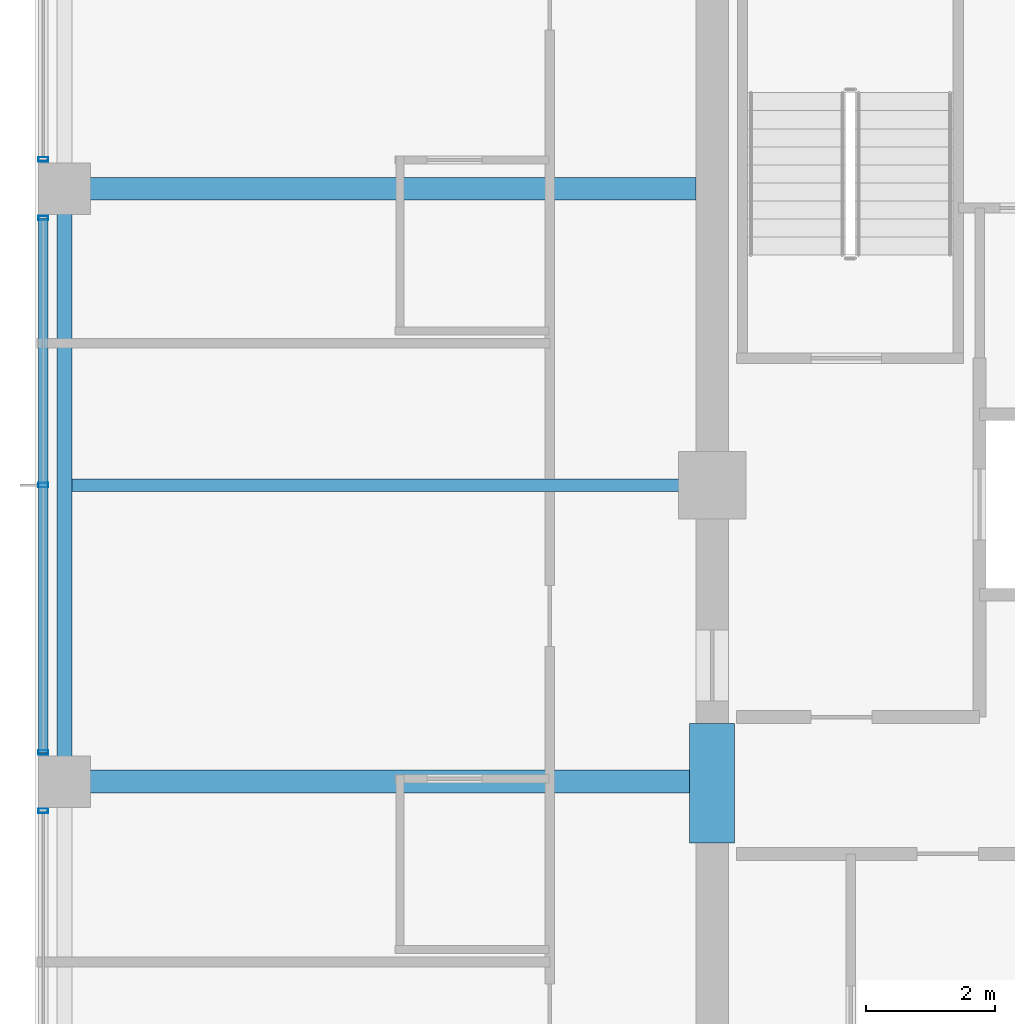
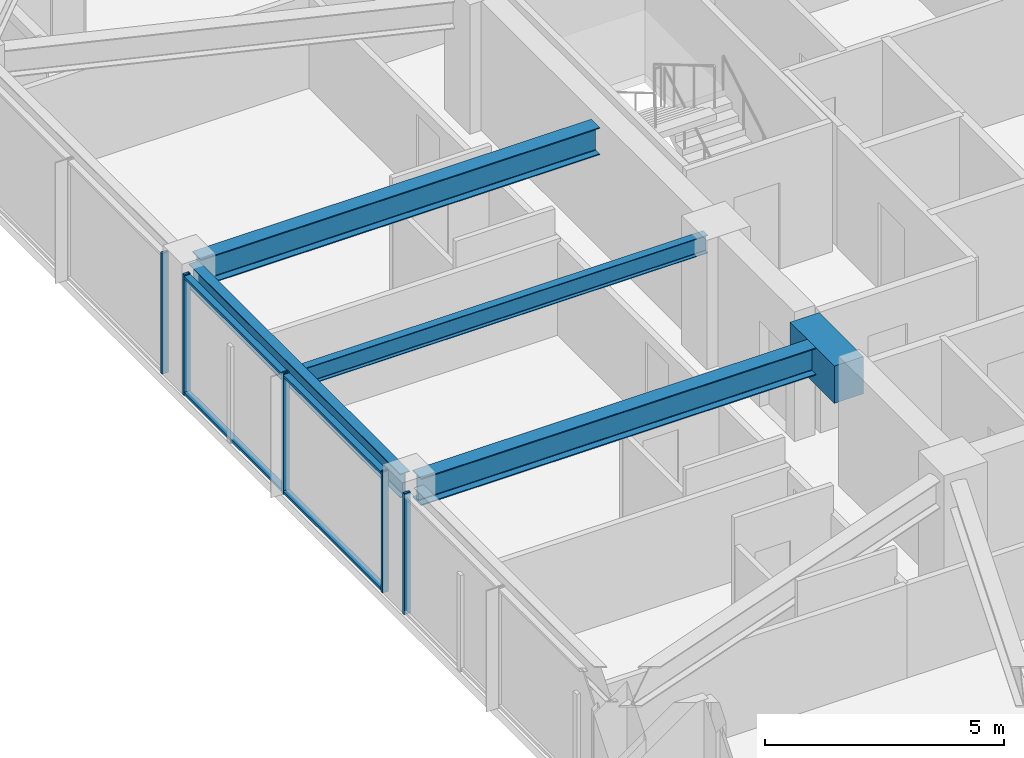
# One storey, part 9 of 36: 7 members, 5 beams, 3 elements without a shape of their own.
"""IFC4 building model written with IfcOpenShell, lengths in metres."""

from ifc_helpers import new_model, si_unit, direction, frame, origin, origin_2d, place, context, subcontext, project, spatial, rectangle, hollow_rectangle, i_section, extrude, material, material_profile, profile_set, type_object, element, aggregate, save


model = new_model("IFC4")

# Units and contexts
model_context = context("Model", 3, precision=1e-05, world=origin(), true_north=direction((0.0, 1.0)))
body_context = subcontext(model_context, "Body", "Model", "MODEL_VIEW")
ifc_project = project(units=[si_unit("LENGTHUNIT", "METRE"), si_unit("AREAUNIT", "SQUARE_METRE"), si_unit("VOLUMEUNIT", "CUBIC_METRE"), si_unit("PLANEANGLEUNIT", "RADIAN"), si_unit("MASSUNIT", "GRAM", prefix="KILO")], contexts=[model_context])

# Site, building, storey
site_placement = place(None, origin())
site = spatial("IfcSite", under=ifc_project, at=site_placement, CompositionType="ELEMENT")
building_placement = place(site_placement, origin())
building = spatial("IfcBuilding", under=site, at=building_placement, Name="Kolvaren Belvedere", CompositionType="ELEMENT")
storey_placement = place(building_placement, frame((0.0, 0.0, 193.199951171875)))
storey = spatial("IfcBuildingStorey", under=building, at=storey_placement, Name="L56", CompositionType="ELEMENT", Elevation=193.199951171875)

# Beams
ifc_material_1 = material(Name="Structural steel ASTM A992 Grade 50", Category="steel")
ifc_material_profile_1 = material_profile(ifc_material_1, i_section(OverallWidth=0.35498046875, OverallDepth=0.696044921875, WebThickness=0.015380859375, FlangeThickness=0.02490234375, FilletRadius=0.02197265625, at=origin_2d()), Name="W27X146")
ifc_profile_set_1 = profile_set([ifc_material_profile_1], Name="Structural steel ASTM A992 Grade 50")
beam_type_1 = type_object("IfcBeamType", Name="BM-GIRD-W27X146", PredefinedType="BEAM", material=ifc_profile_set_1)
for number, where, z_axis, x_axis, name in (
    (1, (-10.14990234375, 4.60009765625, 2.73193359375), (-1.0, 0.0, 0.0), (0.0, -1.0, 0.0), "L56 West Radial Girder P"),
    (2, (-10.14990234375, -4.60009765625, 2.73193359375), (-1.0, 0.0, 0.0), (0.0, -1.0, 0.0), "L56 West Radial Girder M"),
):
    element("IfcBeam", number, at=place(storey_placement, frame(where, z_axis=z_axis, x_axis=x_axis)), inside=storey, type_object=beam_type_1, Name=name, PredefinedType="BEAM", context=body_context, shape_type="SweptSolid", body=[
        extrude(i_section(OverallWidth=0.35498046875, OverallDepth=0.696044921875, WebThickness=0.015380859375, FlangeThickness=0.02490234375, FilletRadius=0.02197265625, at=origin_2d()), origin(), (0.0, 0.0, 1.0), 9.6201171875),
    ])
ifc_material_2 = material(Name="Structural steel ASTM A992 Grade 50", Category="steel")
ifc_material_profile_2 = material_profile(ifc_material_2, i_section(OverallWidth=0.19091796875, OverallDepth=0.4599609375, WebThickness=0.010009765625, FlangeThickness=0.01611328125, FilletRadius=0.014892578125, at=origin_2d()), Name="W18X55")
ifc_profile_set_2 = profile_set([ifc_material_profile_2], Name="Structural steel ASTM A992 Grade 50")
beam_type_2 = type_object("IfcBeamType", Name="BM-JOIST-W18X55", PredefinedType="BEAM", material=ifc_profile_set_2)
beam_1_placement = place(storey_placement, frame((-10.14990234375, 0.0, 2.85009765625), z_axis=(-1.0, 0.0, 0.0), x_axis=(0.0, -1.0, 0.0)))
element("IfcBeam", 3, at=beam_1_placement, inside=storey, type_object=beam_type_2, Name="L56 West Centre Floor Beam", PredefinedType="BEAM", context=body_context, shape_type="SweptSolid", body=[
    extrude(i_section(OverallWidth=0.19091796875, OverallDepth=0.4599609375, WebThickness=0.010009765625, FlangeThickness=0.01611328125, FilletRadius=0.014892578125, at=origin_2d()), origin(), (0.0, 0.0, 1.0), 9.685546875),
])
ifc_material_3 = material(Name="Concrete C60/75", Category="concrete")
ifc_material_profile_3 = material_profile(ifc_material_3, rectangle(XDim=0.699951171875, YDim=0.949951171875, at=origin_2d()), Name="RC 700X950")
ifc_profile_set_3 = profile_set([ifc_material_profile_3], Name="Concrete C60/75")
beam_type_3 = type_object("IfcBeamType", Name="BM-LINT-950", PredefinedType="LINTEL", material=ifc_profile_set_3)
beam_2_placement = place(storey_placement, frame((-9.89990234375, -5.550048828125, 2.60498046875), z_axis=(0.0, 1.0, 0.0), x_axis=(-1.0, 0.0, 0.0)))
element("IfcBeam", 4, at=beam_2_placement, inside=storey, type_object=beam_type_3, Name="L56 West Core Coupling Lintel", PredefinedType="LINTEL", context=body_context, shape_type="SweptSolid", body=[
    extrude(rectangle(XDim=0.699951171875, YDim=0.949951171875, at=origin_2d()), origin(), (0.0, 0.0, 1.0), 1.85009765625),
])
ifc_material_4 = material(Name="Structural steel ASTM A992 Grade 50", Category="steel")
ifc_material_profile_4 = material_profile(ifc_material_4, i_section(OverallWidth=0.22900390625, OverallDepth=0.612060546875, WebThickness=0.011962890625, FlangeThickness=0.01953125, FilletRadius=0.01806640625, at=origin_2d()), Name="W24X84")
ifc_profile_set_4 = profile_set([ifc_material_profile_4], Name="Structural steel ASTM A992 Grade 50")
beam_type_4 = type_object("IfcBeamType", Name="BM-SPAN-W24X84", PredefinedType="SPANDREL", material=ifc_profile_set_4)
beam_3_placement = place(storey_placement, frame((-19.949951171875, 4.419921875, 2.774169921875), z_axis=(0.0, -1.0, 0.0), x_axis=(1.0, 0.0, 0.0)))
element("IfcBeam", 5, at=beam_3_placement, inside=storey, type_object=beam_type_4, Name="L56 Perimeter Spandrel W3-W2", PredefinedType="SPANDREL", context=body_context, shape_type="SweptSolid", body=[
    extrude(i_section(OverallWidth=0.22900390625, OverallDepth=0.612060546875, WebThickness=0.011962890625, FlangeThickness=0.01953125, FilletRadius=0.01806640625, at=origin_2d()), origin(), (0.0, 0.0, 1.0), 8.83984375),
])

# Curtain wall, member
ifc_material_5 = material(Name="Anodised pale-metal aluminium AA 6063-T6", Category="aluminium")
curtain_wall_type = type_object("IfcCurtainWallType", Name="CW-Z5-HIGH", PredefinedType="NOTDEFINED", material=ifc_material_5)
curtain_wall_1_placement = place(storey_placement, origin())
curtain_wall_1 = element("IfcCurtainWall", 6, at=curtain_wall_1_placement, inside=storey, type_object=curtain_wall_type, Name="L56 Unitised Curtain Wall FCW-L56-W-B1", PredefinedType="NOTDEFINED")
ifc_material_6 = material(Name="Anodised pale-metal aluminium AA 6063-T6", Category="aluminium")
ifc_material_profile_5 = material_profile(ifc_material_6, hollow_rectangle(XDim=0.070068359375, YDim=0.14990234375, WallThickness=0.004150390625, at=origin_2d()), Name="ALU-MUL-150X70")
ifc_profile_set_5 = profile_set([ifc_material_profile_5], Name="Anodised pale-metal aluminium AA 6063-T6")
member_type_1 = type_object("IfcMemberType", Name="CW-MUL-150", PredefinedType="MULLION", material=ifc_profile_set_5)
member_1_placement = place(storey_placement, frame((-20.280029296875, -5.054931640625, 0.0), z_axis=(0.0, 0.0, 1.0), x_axis=(0.0, 1.0, 0.0)))
member_1 = element("IfcMember", 7, at=member_1_placement, type_object=member_type_1, Name="FCW-L56-W-B1 Unitised Mullion 3", PredefinedType="MULLION", context=body_context, shape_type="SweptSolid", body=[
    extrude(hollow_rectangle(XDim=0.070068359375, YDim=0.14990234375, WallThickness=0.004150390625, at=origin_2d()), origin(), (0.0, 0.0, 1.0), 3.080078125),
])
aggregate(curtain_wall_1, [member_1])

# Curtain wall, members
curtain_wall_2_placement = place(storey_placement, origin())
curtain_wall_2 = element("IfcCurtainWall", 8, at=curtain_wall_2_placement, inside=storey, type_object=curtain_wall_type, Name="L56 Unitised Curtain Wall FCW-L56-W-B2", PredefinedType="NOTDEFINED")
member_2_placement = place(storey_placement, frame((-20.280029296875, -4.14501953125, 0.0), z_axis=(0.0, 0.0, 1.0), x_axis=(0.0, 1.0, 0.0)))
member_2 = element("IfcMember", 9, at=member_2_placement, type_object=member_type_1, Name="FCW-L56-W-B2 Unitised Mullion 1", PredefinedType="MULLION", context=body_context, shape_type="SweptSolid", body=[
    extrude(hollow_rectangle(XDim=0.070068359375, YDim=0.14990234375, WallThickness=0.004150390625, at=origin_2d()), origin(), (0.0, 0.0, 1.0), 3.080078125),
])
member_3_placement = place(storey_placement, frame((-20.280029296875, 0.0, 0.0), z_axis=(0.0, 0.0, 1.0), x_axis=(0.0, 1.0, 0.0)))
member_3 = element("IfcMember", 10, at=member_3_placement, type_object=member_type_1, Name="FCW-L56-W-B2 Unitised Mullion 2", PredefinedType="MULLION", context=body_context, shape_type="SweptSolid", body=[
    extrude(hollow_rectangle(XDim=0.070068359375, YDim=0.14990234375, WallThickness=0.004150390625, at=origin_2d()), origin(), (0.0, 0.0, 1.0), 3.080078125),
])
member_4_placement = place(storey_placement, frame((-20.280029296875, 4.14501953125, 0.0), z_axis=(0.0, 0.0, 1.0), x_axis=(0.0, 1.0, 0.0)))
member_4 = element("IfcMember", 11, at=member_4_placement, type_object=member_type_1, Name="FCW-L56-W-B2 Unitised Mullion 3", PredefinedType="MULLION", context=body_context, shape_type="SweptSolid", body=[
    extrude(hollow_rectangle(XDim=0.070068359375, YDim=0.14990234375, WallThickness=0.004150390625, at=origin_2d()), origin(), (0.0, 0.0, 1.0), 3.080078125),
])

# Curtain wall, member
curtain_wall_3_placement = place(storey_placement, origin())
curtain_wall_3 = element("IfcCurtainWall", 12, at=curtain_wall_3_placement, inside=storey, type_object=curtain_wall_type, Name="L56 Unitised Curtain Wall FCW-L56-W-B3", PredefinedType="NOTDEFINED")
member_5_placement = place(storey_placement, frame((-20.280029296875, 5.054931640625, 0.0), z_axis=(0.0, 0.0, 1.0), x_axis=(0.0, 1.0, 0.0)))
member_5 = element("IfcMember", 13, at=member_5_placement, type_object=member_type_1, Name="FCW-L56-W-B3 Unitised Mullion 1", PredefinedType="MULLION", context=body_context, shape_type="SweptSolid", body=[
    extrude(hollow_rectangle(XDim=0.070068359375, YDim=0.14990234375, WallThickness=0.004150390625, at=origin_2d()), origin(), (0.0, 0.0, 1.0), 3.080078125),
])
aggregate(curtain_wall_3, [member_5])

# Member
ifc_material_7 = material(Name="Anodised pale-metal aluminium AA 6063-T6", Category="aluminium")
ifc_material_profile_6 = material_profile(ifc_material_7, hollow_rectangle(XDim=0.06494140625, YDim=0.14990234375, WallThickness=0.00390625, at=origin_2d()), Name="ALU-TRN-150X65")
ifc_profile_set_6 = profile_set([ifc_material_profile_6], Name="Anodised pale-metal aluminium AA 6063-T6")
member_type_2 = type_object("IfcMemberType", Name="CW-TRN-150", PredefinedType="USERDEFINED", material=ifc_profile_set_6)
member_6_placement = place(storey_placement, frame((-20.280029296875, -4.14501953125, 0.06005859375), z_axis=(0.0, 1.0, 0.0), x_axis=(0.0, 0.0, 1.0)))
member_6 = element("IfcMember", 14, at=member_6_placement, type_object=member_type_2, Name="FCW-L56-W-B2 Sill Transom", ObjectType="TRANSOM", PredefinedType="USERDEFINED", context=body_context, shape_type="SweptSolid", body=[
    extrude(hollow_rectangle(XDim=0.06494140625, YDim=0.14990234375, WallThickness=0.00390625, at=origin_2d()), origin(), (0.0, 0.0, 1.0), 8.2900390625),
])

member_7_placement = place(storey_placement, frame((-20.280029296875, -4.14501953125, 3.02001953125), z_axis=(0.0, 1.0, 0.0), x_axis=(0.0, 0.0, 1.0)))
member_7 = element("IfcMember", 15, at=member_7_placement, type_object=member_type_2, Name="FCW-L56-W-B2 Head Transom", ObjectType="TRANSOM", PredefinedType="USERDEFINED", context=body_context, shape_type="SweptSolid", body=[
    extrude(hollow_rectangle(XDim=0.06494140625, YDim=0.14990234375, WallThickness=0.00390625, at=origin_2d()), origin(), (0.0, 0.0, 1.0), 8.2900390625),
])

aggregate(curtain_wall_2, [member_2, member_3, member_4, member_6, member_7])

save(model, "model.ifc")
